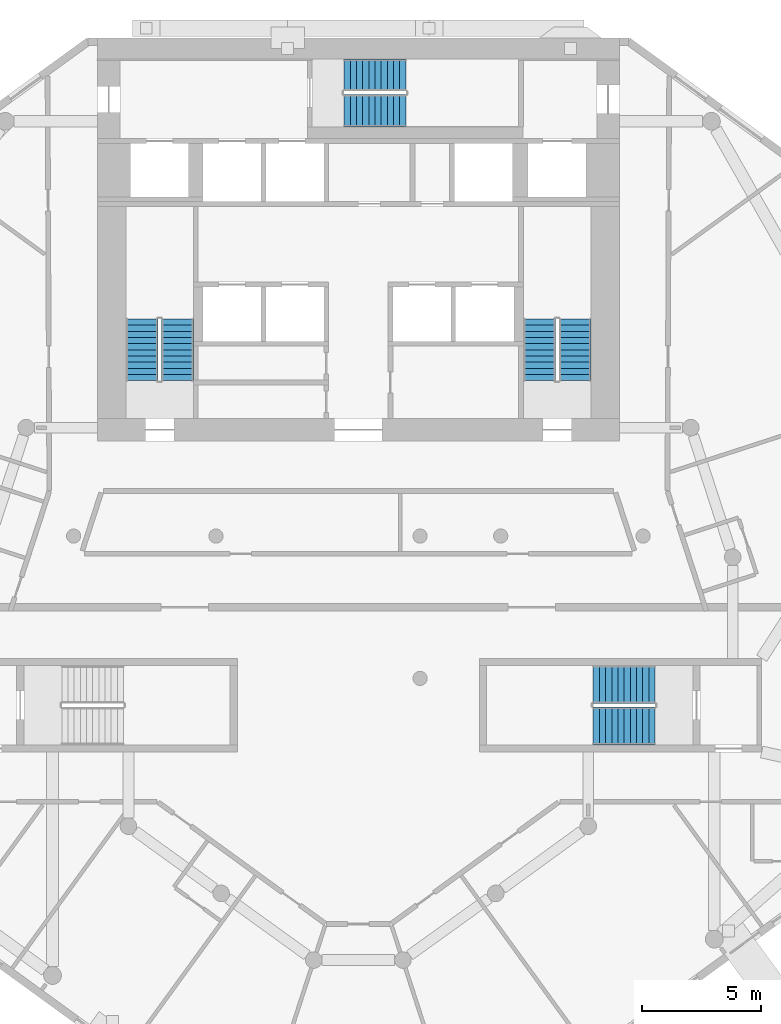
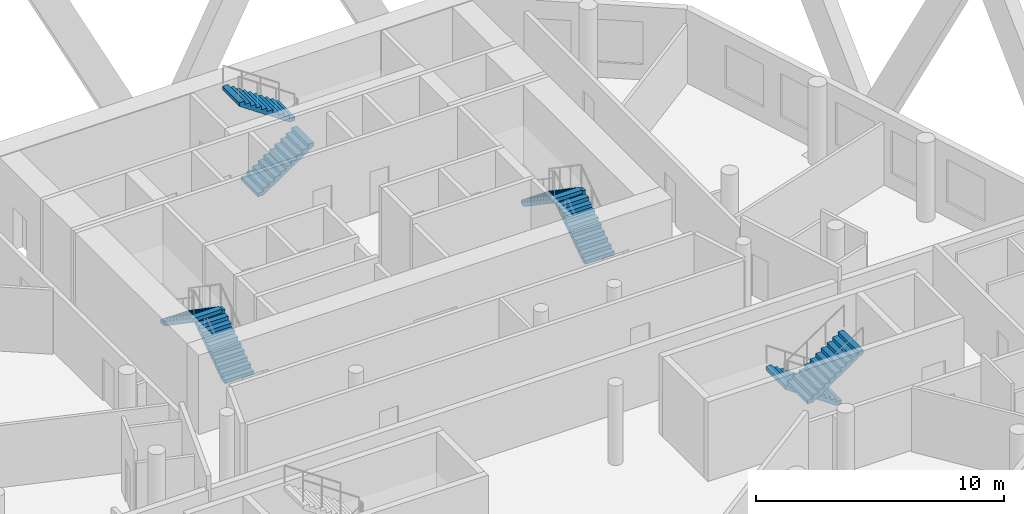
# One storey, part 8 of 10: 8 stair flights, 4 elements without a shape of their own.
"""IFC4 building model written with IfcOpenShell, lengths in metres."""

from ifc_helpers import new_model, si_unit, direction, frame, origin, place, context, subcontext, project, spatial, polyline, outline, extrude, material, layer, layer_set, type_object, element, aggregate, save


model = new_model("IFC4")

# Units and contexts
model_context = context("Model", 3, precision=1e-05, world=origin(), true_north=direction((0.0, 1.0)))
body_context = subcontext(model_context, "Body", "Model", "MODEL_VIEW")
ifc_project = project(units=[si_unit("LENGTHUNIT", "METRE"), si_unit("AREAUNIT", "SQUARE_METRE"), si_unit("VOLUMEUNIT", "CUBIC_METRE"), si_unit("PLANEANGLEUNIT", "RADIAN"), si_unit("MASSUNIT", "GRAM", prefix="KILO")], contexts=[model_context])

# Site, building, storey
site_placement = place(None, origin())
site = spatial("IfcSite", under=ifc_project, at=site_placement, CompositionType="ELEMENT")
building_placement = place(site_placement, origin())
building = spatial("IfcBuilding", under=site, at=building_placement, Name="White Candle Pilgrim Tower", CompositionType="ELEMENT")
storey_placement = place(building_placement, frame((0.0, 0.0, 172.0)))
storey = spatial("IfcBuildingStorey", under=building, at=storey_placement, Name="L39", CompositionType="ELEMENT", Elevation=172.0)

# Stair, stair flights
ifc_material = material(Name="Concrete C40/50", Category="concrete")
stair_type_1 = type_object("IfcStairType", Name="Exit stair 1 flight width 1350 mm", PredefinedType="HALF_TURN_STAIR", material=ifc_material)
stair_1_placement = place(storey_placement, origin())
stair_1 = element("IfcStair", 1, at=stair_1_placement, inside=storey, type_object=stair_type_1, Name="L39 stair 1", PredefinedType="NOTDEFINED")
ifc_layer = layer(ifc_material, 0.14990234375)
ifc_layer_set = layer_set([ifc_layer], Name="Stair flight Concrete C40/50")
stair_flight_type = type_object("IfcStairFlightType", Name="Stair flight Concrete C40/50", PredefinedType="STRAIGHT", material=ifc_layer_set)
stair_flight_1_placement = place(storey_placement, frame((62.375, 73.550048828125, 0.0), z_axis=(0.0, 0.0, 1.0), x_axis=(0.0, 1.0, 0.0)))
stair_flight_1 = element("IfcStairFlight", 2, at=stair_flight_1_placement, type_object=stair_flight_type, Name="ST1 flight 1", NumberOfRisers=11, NumberOfTreads=10, PredefinedType="NOTDEFINED", RiserHeight=0.177272727, TreadLength=0.26, context=body_context, shape_type="SweptSolid", body=[
    extrude(outline(polyline([(0.0, 0.0), (0.0, 0.17724609375), (0.260009765625, 0.17724609375), (0.260009765625, 0.3544921875), (0.52001953125, 0.3544921875), (0.52001953125, 0.53173828125), (0.780029296875, 0.53173828125), (0.780029296875, 0.708984375), (1.0400390625, 0.708984375), (1.0400390625, 0.886474609375), (1.300048828125, 0.886474609375), (1.300048828125, 1.063720703125), (1.56005859375, 1.063720703125), (1.56005859375, 1.240966796875), (1.820068359375, 1.240966796875), (1.820068359375, 1.418212890625), (2.080078125, 1.418212890625), (2.080078125, 1.595458984375), (2.340087890625, 1.595458984375), (2.340087890625, 1.772705078125), (2.60009765625, 1.772705078125), (2.60009765625, 1.949951171875), (2.60009765625, 1.59130859375), (0.26611328125, 0.0), (0.0, 0.0)])), frame((0.0, 0.675048828125, 0.0), z_axis=(0.0, -1.0, 0.0), x_axis=(1.0, 0.0, 0.0)), (0.0, 0.0, 1.0), 1.35009765625),
])
stair_flight_2_placement = place(storey_placement, frame((60.875, 76.14990234375, 1.949951171875), z_axis=(0.0, 0.0, 1.0), x_axis=(0.0, -1.0, 0.0)))
stair_flight_2 = element("IfcStairFlight", 3, at=stair_flight_2_placement, type_object=stair_flight_type, Name="ST1 flight 2", NumberOfRisers=11, NumberOfTreads=10, PredefinedType="NOTDEFINED", RiserHeight=0.177272727, TreadLength=0.26, context=body_context, shape_type="SweptSolid", body=[
    extrude(outline(polyline([(0.0, 0.0), (0.0, 0.17724609375), (0.260009765625, 0.17724609375), (0.260009765625, 0.3544921875), (0.52001953125, 0.3544921875), (0.52001953125, 0.53173828125), (0.780029296875, 0.53173828125), (0.780029296875, 0.708984375), (1.0400390625, 0.708984375), (1.0400390625, 0.886474609375), (1.300048828125, 0.886474609375), (1.300048828125, 1.063720703125), (1.56005859375, 1.063720703125), (1.56005859375, 1.240966796875), (1.820068359375, 1.240966796875), (1.820068359375, 1.418212890625), (2.080078125, 1.418212890625), (2.080078125, 1.595458984375), (2.340087890625, 1.595458984375), (2.340087890625, 1.772705078125), (2.60009765625, 1.772705078125), (2.60009765625, 1.949951171875), (2.60009765625, 1.59130859375), (0.26611328125, 0.0), (0.0, 0.0)])), frame((0.0, 0.675048828125, 0.0), z_axis=(0.0, -1.0, 0.0), x_axis=(1.0, 0.0, 0.0)), (0.0, 0.0, 1.0), 1.35009765625),
])
aggregate(stair_1, [stair_flight_1, stair_flight_2])

stair_type_2 = type_object("IfcStairType", Name="Exit stair 2 flight width 1350 mm", PredefinedType="HALF_TURN_STAIR", material=ifc_material)
stair_2_placement = place(storey_placement, origin())
stair_2 = element("IfcStair", 4, at=stair_2_placement, inside=storey, type_object=stair_type_2, Name="L39 stair 2", PredefinedType="NOTDEFINED")
stair_flight_3_placement = place(storey_placement, frame((79.125, 73.550048828125, 0.0), z_axis=(0.0, 0.0, 1.0), x_axis=(0.0, 1.0, 0.0)))
stair_flight_3 = element("IfcStairFlight", 5, at=stair_flight_3_placement, type_object=stair_flight_type, Name="ST2 flight 1", NumberOfRisers=11, NumberOfTreads=10, PredefinedType="NOTDEFINED", RiserHeight=0.177272727, TreadLength=0.26, context=body_context, shape_type="SweptSolid", body=[
    extrude(outline(polyline([(0.0, 0.0), (0.0, 0.17724609375), (0.260009765625, 0.17724609375), (0.260009765625, 0.3544921875), (0.52001953125, 0.3544921875), (0.52001953125, 0.53173828125), (0.780029296875, 0.53173828125), (0.780029296875, 0.708984375), (1.0400390625, 0.708984375), (1.0400390625, 0.886474609375), (1.300048828125, 0.886474609375), (1.300048828125, 1.063720703125), (1.56005859375, 1.063720703125), (1.56005859375, 1.240966796875), (1.820068359375, 1.240966796875), (1.820068359375, 1.418212890625), (2.080078125, 1.418212890625), (2.080078125, 1.595458984375), (2.340087890625, 1.595458984375), (2.340087890625, 1.772705078125), (2.60009765625, 1.772705078125), (2.60009765625, 1.949951171875), (2.60009765625, 1.59130859375), (0.26611328125, 0.0), (0.0, 0.0)])), frame((0.0, 0.675048828125, 0.0), z_axis=(0.0, -1.0, 0.0), x_axis=(1.0, 0.0, 0.0)), (0.0, 0.0, 1.0), 1.35009765625),
])
stair_flight_4_placement = place(storey_placement, frame((77.625, 76.14990234375, 1.949951171875), z_axis=(0.0, 0.0, 1.0), x_axis=(0.0, -1.0, 0.0)))
stair_flight_4 = element("IfcStairFlight", 6, at=stair_flight_4_placement, type_object=stair_flight_type, Name="ST2 flight 2", NumberOfRisers=11, NumberOfTreads=10, PredefinedType="NOTDEFINED", RiserHeight=0.177272727, TreadLength=0.26, context=body_context, shape_type="SweptSolid", body=[
    extrude(outline(polyline([(0.0, 0.0), (0.0, 0.17724609375), (0.260009765625, 0.17724609375), (0.260009765625, 0.3544921875), (0.52001953125, 0.3544921875), (0.52001953125, 0.53173828125), (0.780029296875, 0.53173828125), (0.780029296875, 0.708984375), (1.0400390625, 0.708984375), (1.0400390625, 0.886474609375), (1.300048828125, 0.886474609375), (1.300048828125, 1.063720703125), (1.56005859375, 1.063720703125), (1.56005859375, 1.240966796875), (1.820068359375, 1.240966796875), (1.820068359375, 1.418212890625), (2.080078125, 1.418212890625), (2.080078125, 1.595458984375), (2.340087890625, 1.595458984375), (2.340087890625, 1.772705078125), (2.60009765625, 1.772705078125), (2.60009765625, 1.949951171875), (2.60009765625, 1.59130859375), (0.26611328125, 0.0), (0.0, 0.0)])), frame((0.0, 0.675048828125, 0.0), z_axis=(0.0, -1.0, 0.0), x_axis=(1.0, 0.0, 0.0)), (0.0, 0.0, 1.0), 1.35009765625),
])
aggregate(stair_2, [stair_flight_3, stair_flight_4])

stair_type_3 = type_object("IfcStairType", Name="Exit stair 3 flight width 1350 mm", PredefinedType="HALF_TURN_STAIR", material=ifc_material)
stair_3_placement = place(storey_placement, origin())
stair_3 = element("IfcStair", 7, at=stair_3_placement, inside=storey, type_object=stair_type_3, Name="L39 stair 3", PredefinedType="NOTDEFINED")
stair_flight_5_placement = place(storey_placement, frame((69.39990234375, 84.925048828125, 0.0), z_axis=(0.0, 0.0, 1.0), x_axis=(1.0, 0.0, 0.0)))
stair_flight_5 = element("IfcStairFlight", 8, at=stair_flight_5_placement, type_object=stair_flight_type, Name="ST3 flight 1", NumberOfRisers=11, NumberOfTreads=10, PredefinedType="NOTDEFINED", RiserHeight=0.177272727, TreadLength=0.26, context=body_context, shape_type="SweptSolid", body=[
    extrude(outline(polyline([(0.0, 0.0), (0.0, 0.17724609375), (0.260009765625, 0.17724609375), (0.260009765625, 0.3544921875), (0.52001953125, 0.3544921875), (0.52001953125, 0.53173828125), (0.780029296875, 0.53173828125), (0.780029296875, 0.708984375), (1.0400390625, 0.708984375), (1.0400390625, 0.886474609375), (1.300048828125, 0.886474609375), (1.300048828125, 1.063720703125), (1.56005859375, 1.063720703125), (1.56005859375, 1.240966796875), (1.820068359375, 1.240966796875), (1.820068359375, 1.418212890625), (2.080078125, 1.418212890625), (2.080078125, 1.595458984375), (2.340087890625, 1.595458984375), (2.340087890625, 1.772705078125), (2.60009765625, 1.772705078125), (2.60009765625, 1.949951171875), (2.60009765625, 1.59130859375), (0.26611328125, 0.0), (0.0, 0.0)])), frame((0.0, 0.675048828125, 0.0), z_axis=(0.0, -1.0, 0.0), x_axis=(1.0, 0.0, 0.0)), (0.0, 0.0, 1.0), 1.35009765625),
])
stair_flight_6_placement = place(storey_placement, frame((72.0, 86.425048828125, 1.949951171875), z_axis=(0.0, 0.0, 1.0), x_axis=(-1.0, 0.0, 0.0)))
stair_flight_6 = element("IfcStairFlight", 9, at=stair_flight_6_placement, type_object=stair_flight_type, Name="ST3 flight 2", NumberOfRisers=11, NumberOfTreads=10, PredefinedType="NOTDEFINED", RiserHeight=0.177272727, TreadLength=0.26, context=body_context, shape_type="SweptSolid", body=[
    extrude(outline(polyline([(0.0, 0.0), (0.0, 0.17724609375), (0.260009765625, 0.17724609375), (0.260009765625, 0.3544921875), (0.52001953125, 0.3544921875), (0.52001953125, 0.53173828125), (0.780029296875, 0.53173828125), (0.780029296875, 0.708984375), (1.0400390625, 0.708984375), (1.0400390625, 0.886474609375), (1.300048828125, 0.886474609375), (1.300048828125, 1.063720703125), (1.56005859375, 1.063720703125), (1.56005859375, 1.240966796875), (1.820068359375, 1.240966796875), (1.820068359375, 1.418212890625), (2.080078125, 1.418212890625), (2.080078125, 1.595458984375), (2.340087890625, 1.595458984375), (2.340087890625, 1.772705078125), (2.60009765625, 1.772705078125), (2.60009765625, 1.949951171875), (2.60009765625, 1.59130859375), (0.26611328125, 0.0), (0.0, 0.0)])), frame((0.0, 0.675048828125, 0.0), z_axis=(0.0, -1.0, 0.0), x_axis=(1.0, 0.0, 0.0)), (0.0, 0.0, 1.0), 1.35009765625),
])
aggregate(stair_3, [stair_flight_5, stair_flight_6])

stair_type_4 = type_object("IfcStairType", Name="Exit stair 4 flight width 1600 mm", PredefinedType="HALF_TURN_STAIR", material=ifc_material)
stair_4_placement = place(storey_placement, origin())
stair_4 = element("IfcStair", 10, at=stair_4_placement, inside=storey, type_object=stair_type_4, Name="L39 stair 4", PredefinedType="NOTDEFINED")
stair_flight_7_placement = place(storey_placement, frame((82.5, 60.75, 0.0), z_axis=(0.0, 0.0, 1.0), x_axis=(-1.0, 0.0, 0.0)))
stair_flight_7 = element("IfcStairFlight", 11, at=stair_flight_7_placement, type_object=stair_flight_type, Name="ST4 flight 1", NumberOfRisers=11, NumberOfTreads=10, PredefinedType="NOTDEFINED", RiserHeight=0.177272727, TreadLength=0.26, context=body_context, shape_type="SweptSolid", body=[
    extrude(outline(polyline([(0.0, 0.0), (0.0, 0.17724609375), (0.260009765625, 0.17724609375), (0.260009765625, 0.3544921875), (0.52001953125, 0.3544921875), (0.52001953125, 0.53173828125), (0.780029296875, 0.53173828125), (0.780029296875, 0.708984375), (1.0400390625, 0.708984375), (1.0400390625, 0.886474609375), (1.300048828125, 0.886474609375), (1.300048828125, 1.063720703125), (1.56005859375, 1.063720703125), (1.56005859375, 1.240966796875), (1.820068359375, 1.240966796875), (1.820068359375, 1.418212890625), (2.080078125, 1.418212890625), (2.080078125, 1.595458984375), (2.340087890625, 1.595458984375), (2.340087890625, 1.772705078125), (2.60009765625, 1.772705078125), (2.60009765625, 1.949951171875), (2.60009765625, 1.59130859375), (0.26611328125, 0.0), (0.0, 0.0)])), frame((0.0, 0.800048828125, 0.0), z_axis=(0.0, -1.0, 0.0), x_axis=(1.0, 0.0, 0.0)), (0.0, 0.0, 1.0), 1.60009765625),
])
stair_flight_8_placement = place(storey_placement, frame((79.89990234375, 59.0, 1.949951171875), z_axis=(0.0, 0.0, 1.0), x_axis=(1.0, 0.0, 0.0)))
stair_flight_8 = element("IfcStairFlight", 12, at=stair_flight_8_placement, type_object=stair_flight_type, Name="ST4 flight 2", NumberOfRisers=11, NumberOfTreads=10, PredefinedType="NOTDEFINED", RiserHeight=0.177272727, TreadLength=0.26, context=body_context, shape_type="SweptSolid", body=[
    extrude(outline(polyline([(0.0, 0.0), (0.0, 0.17724609375), (0.260009765625, 0.17724609375), (0.260009765625, 0.3544921875), (0.52001953125, 0.3544921875), (0.52001953125, 0.53173828125), (0.780029296875, 0.53173828125), (0.780029296875, 0.708984375), (1.0400390625, 0.708984375), (1.0400390625, 0.886474609375), (1.300048828125, 0.886474609375), (1.300048828125, 1.063720703125), (1.56005859375, 1.063720703125), (1.56005859375, 1.240966796875), (1.820068359375, 1.240966796875), (1.820068359375, 1.418212890625), (2.080078125, 1.418212890625), (2.080078125, 1.595458984375), (2.340087890625, 1.595458984375), (2.340087890625, 1.772705078125), (2.60009765625, 1.772705078125), (2.60009765625, 1.949951171875), (2.60009765625, 1.59130859375), (0.26611328125, 0.0), (0.0, 0.0)])), frame((0.0, 0.800048828125, 0.0), z_axis=(0.0, -1.0, 0.0), x_axis=(1.0, 0.0, 0.0)), (0.0, 0.0, 1.0), 1.60009765625),
])
aggregate(stair_4, [stair_flight_7, stair_flight_8])

save(model, "model.ifc")
